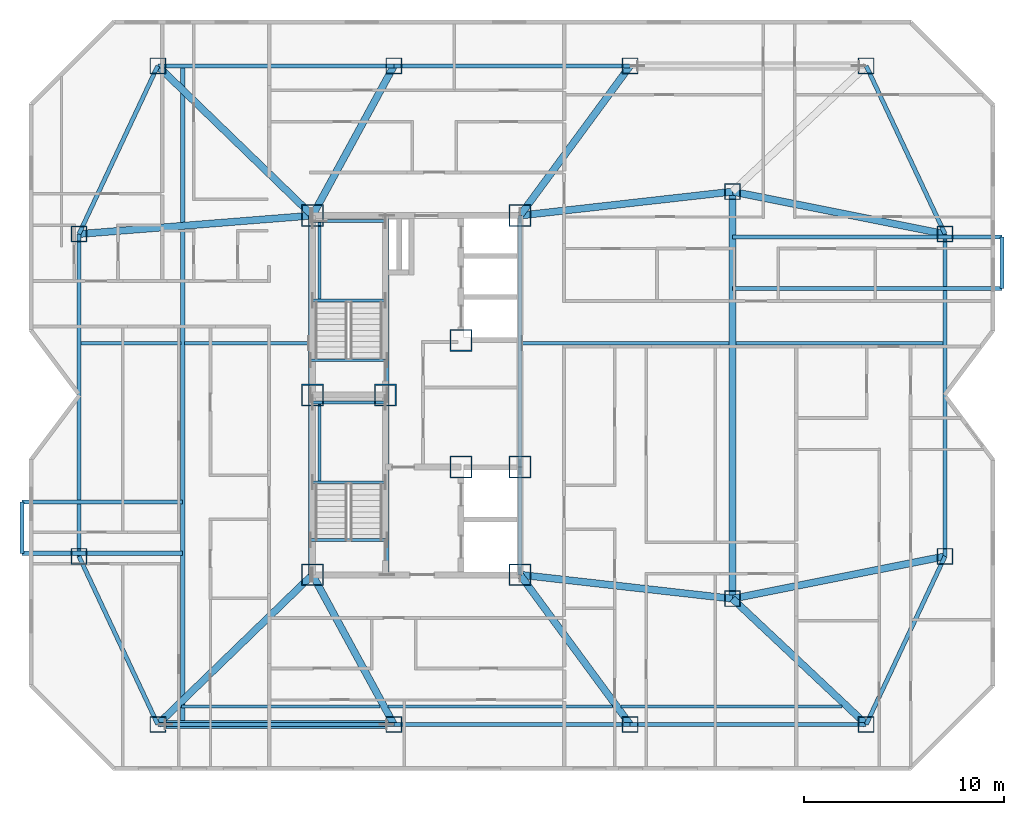
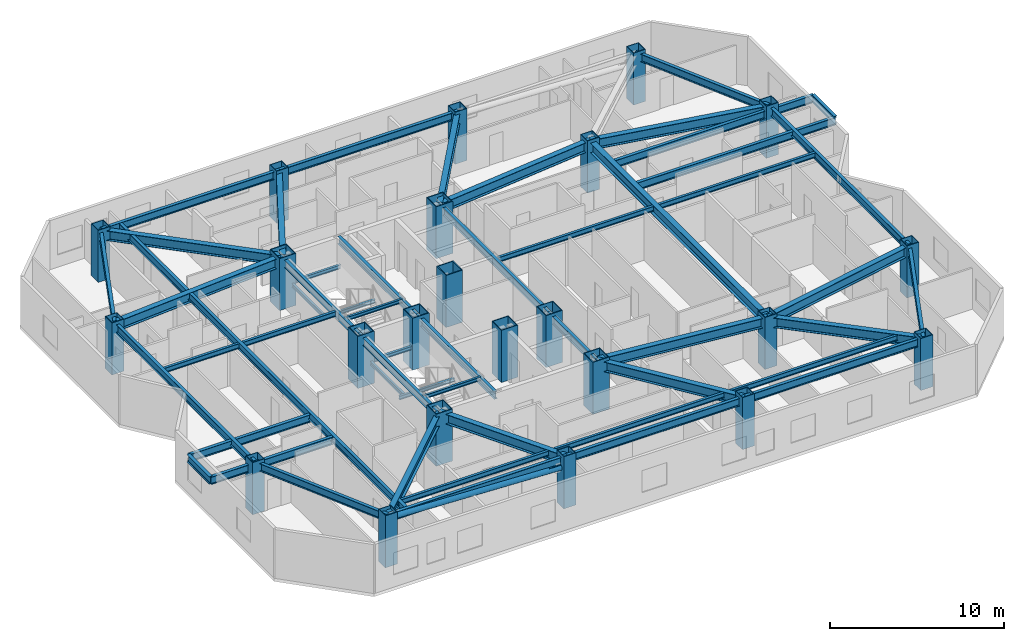
# One storey, part 1 of 12: 52 beams, 23 columns, 1 member.
"""IFC4 building model written with IfcOpenShell, lengths in metres."""

from ifc_helpers import new_model, si_unit, direction, frame, origin, origin_2d, place, context, subcontext, project, spatial, hollow_rectangle, hollow_circle, i_section, extrude, material, material_profile, profile_set, type_object, element, save


model = new_model("IFC4")

# Units and contexts
model_context = context("Model", 3, precision=1e-05, world=origin(), true_north=direction((0.0, 1.0)))
body_context = subcontext(model_context, "Body", "Model", "MODEL_VIEW")
ifc_project = project(units=[si_unit("LENGTHUNIT", "METRE"), si_unit("AREAUNIT", "SQUARE_METRE"), si_unit("VOLUMEUNIT", "CUBIC_METRE"), si_unit("PLANEANGLEUNIT", "RADIAN"), si_unit("MASSUNIT", "GRAM", prefix="KILO")], contexts=[model_context])

# Site, building, storey
site_placement = place(None, origin())
site = spatial("IfcSite", under=ifc_project, at=site_placement, CompositionType="ELEMENT")
building_placement = place(site_placement, origin())
building = spatial("IfcBuilding", under=site, at=building_placement, Name="Khamvora Tower", CompositionType="ELEMENT")
storey_placement = place(building_placement, frame((0.0, 0.0, 199.699951171875)))
storey = spatial("IfcBuildingStorey", under=building, at=storey_placement, Name="L51", CompositionType="ELEMENT", Elevation=199.699951171875)

# Columns
ifc_material_1 = material(Name="Steel S460", Category="steel")
ifc_material_profile_1 = material_profile(ifc_material_1, hollow_rectangle(XDim=1.10009765625, YDim=1.10009765625, WallThickness=0.054931640625, at=origin_2d()), Name="BOX1100x1100x55")
ifc_profile_set_1 = profile_set([ifc_material_profile_1], Name="Steel S460")
column_type_1 = type_object("IfcColumnType", Name="COL-BOX1100", PredefinedType="COLUMN", material=ifc_profile_set_1)
for number, where, z_axis, x_axis, name in (
    (1, (29.0, 19.0, 0.0), (0.0, 0.0, 1.0), (1.0, 0.0, 0.0), "L51 plumb core spine column SC1"),
    (2, (32.64990234375, 28.0, 0.0), (0.0, 0.0, 1.0), (1.0, 0.0, 0.0), "L51 plumb core spine column SC2"),
    (3, (39.39990234375, 19.0, 0.0), (0.0, 0.0, 1.0), (1.0, 0.0, 0.0), "L51 plumb core spine column SC3"),
    (4, (29.0, 28.0, 0.0), (0.0, 0.0, 1.0), (1.0, 0.0, 0.0), "L51 plumb core spine column SC4"),
    (5, (36.449951171875, 24.39990234375, 0.0), (0.0, 0.0, 1.0), (1.0, 0.0, 0.0), "L51 plumb core spine column SC5"),
    (6, (39.39990234375, 24.39990234375, 0.0), (0.0, 0.0, 1.0), (1.0, 0.0, 0.0), "L51 plumb core spine column SC6"),
    (7, (29.0, 37.0, 0.0), (0.0, 0.0, 1.0), (1.0, 0.0, 0.0), "L51 plumb core spine column SC7"),
    (8, (36.449951171875, 30.75, 0.0), (0.0, 0.0, 1.0), (1.0, 0.0, 0.0), "L51 plumb core spine column SC8"),
    (9, (39.39990234375, 37.0, 0.0), (0.0, 0.0, 1.0), (1.0, 0.0, 0.0), "L51 plumb core spine column SC9"),
):
    element("IfcColumn", number, at=place(storey_placement, frame(where, z_axis=z_axis, x_axis=x_axis)), inside=storey, type_object=column_type_1, Name=name, PredefinedType="COLUMN", context=body_context, shape_type="SweptSolid", body=[
        extrude(hollow_rectangle(XDim=1.10009765625, YDim=1.10009765625, WallThickness=0.054931640625, at=origin_2d()), origin(), (0.0, 0.0, 1.0), 3.650146484375),
    ])
ifc_material_2 = material(Name="Steel S355", Category="steel")
ifc_material_profile_2 = material_profile(ifc_material_2, hollow_rectangle(XDim=0.800048828125, YDim=0.800048828125, WallThickness=0.0400390625, at=origin_2d()), Name="BOX800x800x40")
ifc_profile_set_2 = profile_set([ifc_material_profile_2], Name="Steel S355")
column_type_2 = type_object("IfcColumnType", Name="COL-BOX800", PredefinedType="COLUMN", material=ifc_profile_set_2)
for number, where, z_axis, x_axis, name in (
    (10, (21.25, 11.5, 0.0), (0.0, 0.0, 1.0), (1.0, 0.0, 0.0), "L51 structural frame column S1"),
    (11, (33.0830078125, 11.5, 0.0), (0.0, 0.0, 1.0), (1.0, 0.0, 0.0), "L51 structural frame column S2"),
    (12, (44.9169921875, 11.5, 0.0), (0.0, 0.0, 1.0), (1.0, 0.0, 0.0), "L51 structural frame column S3"),
    (13, (56.75, 11.5, 0.0), (0.0, 0.0, 1.0), (1.0, 0.0, 0.0), "L51 structural frame column S4"),
    (14, (21.25, 44.5, 0.0), (0.0, 0.0, 1.0), (1.0, 0.0, 0.0), "L51 structural frame column N1"),
    (15, (33.0830078125, 44.5, 0.0), (0.0, 0.0, 1.0), (1.0, 0.0, 0.0), "L51 structural frame column N2"),
    (16, (44.9169921875, 44.5, 0.0), (0.0, 0.0, 1.0), (1.0, 0.0, 0.0), "L51 structural frame column N3"),
    (17, (56.75, 44.5, 0.0), (0.0, 0.0, 1.0), (1.0, 0.0, 0.0), "L51 structural frame column N4"),
    (18, (17.300048828125, 19.925048828125, 0.0), (0.0, 0.0, 1.0), (1.0, 0.0, 0.0), "L51 structural frame column W1"),
    (19, (17.300048828125, 36.074951171875, 0.0), (0.0, 0.0, 1.0), (1.0, 0.0, 0.0), "L51 structural frame column W2"),
    (20, (60.699951171875, 19.925048828125, 0.0), (0.0, 0.0, 1.0), (1.0, 0.0, 0.0), "L51 structural frame column E1"),
    (21, (60.699951171875, 36.074951171875, 0.0), (0.0, 0.0, 1.0), (1.0, 0.0, 0.0), "L51 structural frame column E2"),
    (22, (50.050048828125, 17.800048828125, 0.0), (0.0, 0.0, 1.0), (1.0, 0.0, 0.0), "L51 structural frame column M1"),
    (23, (50.050048828125, 38.199951171875, 0.0), (0.0, 0.0, 1.0), (1.0, 0.0, 0.0), "L51 structural frame column M2"),
):
    element("IfcColumn", number, at=place(storey_placement, frame(where, z_axis=z_axis, x_axis=x_axis)), inside=storey, type_object=column_type_2, Name=name, PredefinedType="COLUMN", context=body_context, shape_type="SweptSolid", body=[
        extrude(hollow_rectangle(XDim=0.800048828125, YDim=0.800048828125, WallThickness=0.0400390625, at=origin_2d()), origin(), (0.0, 0.0, 1.0), 3.650146484375),
    ])

# Beams
ifc_material_profile_3 = material_profile(ifc_material_2, i_section(OverallWidth=0.1708984375, OverallDepth=0.35498046875, WebThickness=0.007080078125, FlangeThickness=0.011962890625, FilletRadius=0.010009765625, at=origin_2d()), Name="W360x51")
ifc_profile_set_3 = profile_set([ifc_material_profile_3], Name="Steel S355")
beam_type_1 = type_object("IfcBeamType", Name="BM-JS-W360x51", PredefinedType="JOIST", material=ifc_profile_set_3)
beam_1_placement = place(storey_placement, frame((22.429931640625, 12.39990234375, 3.251953125), z_axis=(1.0, 0.0, 0.0), x_axis=(0.0, 1.0, 0.0)))
element("IfcBeam", 24, at=beam_1_placement, inside=storey, type_object=beam_type_1, Name="L51 secondary floor joist 01", PredefinedType="JOIST", context=body_context, shape_type="SweptSolid", body=[
    extrude(i_section(OverallWidth=0.1708984375, OverallDepth=0.35498046875, WebThickness=0.007080078125, FlangeThickness=0.011962890625, FilletRadius=0.010009765625, at=origin_2d()), origin(), (0.0, 0.0, 1.0), 9.966064453125),
])
beam_2_placement = place(storey_placement, frame((32.7900390625, 12.39990234375, 3.251953125), z_axis=(1.0, 0.0, 0.0), x_axis=(0.0, 1.0, 0.0)))
element("IfcBeam", 25, at=beam_2_placement, inside=storey, type_object=beam_type_1, Name="L51 secondary floor joist 02", PredefinedType="JOIST", context=body_context, shape_type="SweptSolid", body=[
    extrude(i_section(OverallWidth=0.1708984375, OverallDepth=0.35498046875, WebThickness=0.007080078125, FlangeThickness=0.011962890625, FilletRadius=0.010009765625, at=origin_2d()), origin(), (0.0, 0.0, 1.0), 11.25),
])
beam_3_placement = place(storey_placement, frame((44.469970703125, 12.39990234375, 3.251953125), z_axis=(1.0, 0.0, 0.0), x_axis=(0.0, 1.0, 0.0)))
element("IfcBeam", 26, at=beam_3_placement, inside=storey, type_object=beam_type_1, Name="L51 secondary floor joist 03", PredefinedType="JOIST", context=body_context, shape_type="SweptSolid", body=[
    extrude(i_section(OverallWidth=0.1708984375, OverallDepth=0.35498046875, WebThickness=0.007080078125, FlangeThickness=0.011962890625, FilletRadius=0.010009765625, at=origin_2d()), origin(), (0.0, 0.0, 1.0), 11.069091796875),
])
beam_4_placement = place(storey_placement, frame((17.40087890625, 30.60009765625, 3.251953125), z_axis=(1.0, 0.0, 0.0), x_axis=(0.0, 1.0, 0.0)))
element("IfcBeam", 27, at=beam_4_placement, inside=storey, type_object=beam_type_1, Name="L51 secondary floor joist 04", PredefinedType="JOIST", context=body_context, shape_type="SweptSolid", body=[
    extrude(i_section(OverallWidth=0.1708984375, OverallDepth=0.35498046875, WebThickness=0.007080078125, FlangeThickness=0.011962890625, FilletRadius=0.010009765625, at=origin_2d()), origin(), (0.0, 0.0, 1.0), 5.0),
])
beam_5_placement = place(storey_placement, frame((22.59912109375, 30.60009765625, 3.251953125), z_axis=(1.0, 0.0, 0.0), x_axis=(0.0, 1.0, 0.0)))
element("IfcBeam", 28, at=beam_5_placement, inside=storey, type_object=beam_type_1, Name="L51 secondary floor joist 05", PredefinedType="JOIST", context=body_context, shape_type="SweptSolid", body=[
    extrude(i_section(OverallWidth=0.1708984375, OverallDepth=0.35498046875, WebThickness=0.007080078125, FlangeThickness=0.011962890625, FilletRadius=0.010009765625, at=origin_2d()), origin(), (0.0, 0.0, 1.0), 6.200927734375),
])
beam_6_placement = place(storey_placement, frame((39.4990234375, 30.60009765625, 3.251953125), z_axis=(1.0, 0.0, 0.0), x_axis=(0.0, 1.0, 0.0)))
element("IfcBeam", 29, at=beam_6_placement, inside=storey, type_object=beam_type_1, Name="L51 secondary floor joist 06", PredefinedType="JOIST", context=body_context, shape_type="SweptSolid", body=[
    extrude(i_section(OverallWidth=0.1708984375, OverallDepth=0.35498046875, WebThickness=0.007080078125, FlangeThickness=0.011962890625, FilletRadius=0.010009765625, at=origin_2d()), origin(), (0.0, 0.0, 1.0), 10.3779296875),
])
beam_7_placement = place(storey_placement, frame((50.221923828125, 30.60009765625, 3.251953125), z_axis=(1.0, 0.0, 0.0), x_axis=(0.0, 1.0, 0.0)))
element("IfcBeam", 30, at=beam_7_placement, inside=storey, type_object=beam_type_1, Name="L51 secondary floor joist 07", PredefinedType="JOIST", context=body_context, shape_type="SweptSolid", body=[
    extrude(i_section(OverallWidth=0.1708984375, OverallDepth=0.35498046875, WebThickness=0.007080078125, FlangeThickness=0.011962890625, FilletRadius=0.010009765625, at=origin_2d()), origin(), (0.0, 0.0, 1.0), 10.377197265625),
])
ifc_material_profile_4 = material_profile(ifc_material_2, i_section(OverallWidth=0.14697265625, OverallDepth=0.261962890625, WebThickness=0.007080078125, FlangeThickness=0.010986328125, FilletRadius=0.008056640625, at=origin_2d()), Name="W250x39")
ifc_profile_set_4 = profile_set([ifc_material_profile_4], Name="Steel S355")
beam_type_2 = type_object("IfcBeamType", Name="BM-LN-W250x39", PredefinedType="LINTEL", material=ifc_profile_set_4)
for number, where, z_axis, x_axis, name in (
    (31, (29.0, 23.635009765625, 1.494140625), (1.0, 0.0, 0.0), (0.0, 1.0, 0.0), "L51 ST-01 half-landing support beam 1.1"),
    (32, (29.0, 27.6298828125, 1.494140625), (1.0, 0.0, 0.0), (0.0, 1.0, 0.0), "L51 ST-01 half-landing support beam 1.2"),
):
    element("IfcBeam", number, at=place(storey_placement, frame(where, z_axis=z_axis, x_axis=x_axis)), inside=storey, type_object=beam_type_2, Name=name, PredefinedType="LINTEL", context=body_context, shape_type="SweptSolid", body=[
        extrude(i_section(OverallWidth=0.14697265625, OverallDepth=0.261962890625, WebThickness=0.007080078125, FlangeThickness=0.010986328125, FilletRadius=0.008056640625, at=origin_2d()), origin(), (0.0, 0.0, 1.0), 3.64990234375),
    ])
beam_8_placement = place(storey_placement, frame((29.35009765625, 23.635009765625, 1.494140625), z_axis=(0.0, 1.0, 0.0), x_axis=(-1.0, 0.0, 0.0)))
element("IfcBeam", 33, at=beam_8_placement, inside=storey, type_object=beam_type_2, Name="L51 ST-01 half-landing edge stringer 1", PredefinedType="LINTEL", context=body_context, shape_type="SweptSolid", body=[
    extrude(i_section(OverallWidth=0.14697265625, OverallDepth=0.261962890625, WebThickness=0.007080078125, FlangeThickness=0.010986328125, FilletRadius=0.008056640625, at=origin_2d()), origin(), (0.0, 0.0, 1.0), 3.994873046875),
])
for number, where, z_axis, x_axis, name in (
    (34, (29.0, 32.735107421875, 1.494140625), (1.0, 0.0, 0.0), (0.0, 1.0, 0.0), "L51 ST-02 half-landing support beam 1.1"),
    (35, (29.0, 36.72998046875, 1.494140625), (1.0, 0.0, 0.0), (0.0, 1.0, 0.0), "L51 ST-02 half-landing support beam 1.2"),
):
    element("IfcBeam", number, at=place(storey_placement, frame(where, z_axis=z_axis, x_axis=x_axis)), inside=storey, type_object=beam_type_2, Name=name, PredefinedType="LINTEL", context=body_context, shape_type="SweptSolid", body=[
        extrude(i_section(OverallWidth=0.14697265625, OverallDepth=0.261962890625, WebThickness=0.007080078125, FlangeThickness=0.010986328125, FilletRadius=0.008056640625, at=origin_2d()), origin(), (0.0, 0.0, 1.0), 3.64990234375),
    ])
beam_9_placement = place(storey_placement, frame((29.35009765625, 32.735107421875, 1.494140625), z_axis=(0.0, 1.0, 0.0), x_axis=(-1.0, 0.0, 0.0)))
element("IfcBeam", 36, at=beam_9_placement, inside=storey, type_object=beam_type_2, Name="L51 ST-02 half-landing edge stringer 1", PredefinedType="LINTEL", context=body_context, shape_type="SweptSolid", body=[
    extrude(i_section(OverallWidth=0.14697265625, OverallDepth=0.261962890625, WebThickness=0.007080078125, FlangeThickness=0.010986328125, FilletRadius=0.008056640625, at=origin_2d()), origin(), (0.0, 0.0, 1.0), 3.994873046875),
])
for number, where, z_axis, x_axis, name in (
    (37, (28.89990234375, 20.75, 3.303955078125), (1.0, 0.0, 0.0), (0.0, 1.0, 0.0), "L51 exit stair ST-01 landing trimmer beam"),
    (38, (28.89990234375, 29.75, 3.303955078125), (1.0, 0.0, 0.0), (0.0, 1.0, 0.0), "L51 exit stair ST-02 landing trimmer beam"),
):
    element("IfcBeam", number, at=place(storey_placement, frame(where, z_axis=z_axis, x_axis=x_axis)), inside=storey, type_object=beam_type_2, Name=name, PredefinedType="LINTEL", context=body_context, shape_type="SweptSolid", body=[
        extrude(i_section(OverallWidth=0.14697265625, OverallDepth=0.261962890625, WebThickness=0.007080078125, FlangeThickness=0.010986328125, FilletRadius=0.008056640625, at=origin_2d()), origin(), (0.0, 0.0, 1.0), 3.830078125),
    ])
ifc_material_profile_5 = material_profile(ifc_material_2, i_section(OverallWidth=0.35498046875, OverallDepth=0.695068359375, WebThickness=0.014892578125, FlangeThickness=0.02490234375, FilletRadius=0.01611328125, at=origin_2d()), Name="W690x217")
ifc_profile_set_5 = profile_set([ifc_material_profile_5], Name="Steel S355")
beam_type_3 = type_object("IfcBeamType", Name="BM-PG-W690x217", PredefinedType="BEAM", material=ifc_profile_set_5)
beam_10_placement = place(storey_placement, frame((50.050048828125, 17.800048828125, 3.08203125), z_axis=(0.0, 1.0, 0.0), x_axis=(-1.0, 0.0, 0.0)))
element("IfcBeam", 39, at=beam_10_placement, inside=storey, type_object=beam_type_3, Name="L51 longitudinal frame girder M1-M2", PredefinedType="BEAM", context=body_context, shape_type="SweptSolid", body=[
    extrude(i_section(OverallWidth=0.35498046875, OverallDepth=0.695068359375, WebThickness=0.014892578125, FlangeThickness=0.02490234375, FilletRadius=0.01611328125, at=origin_2d()), origin(), (0.0, 0.0, 1.0), 20.39990234375),
])
beam_11_placement = place(storey_placement, frame((29.0, 19.0, 3.08203125), z_axis=(-0.718602141767, -0.695421427516, 0.0), x_axis=(0.695421427516, -0.718602141767, 0.0)))
element("IfcBeam", 40, at=beam_11_placement, inside=storey, type_object=beam_type_3, Name="L51 primary floor girder S1", PredefinedType="BEAM", context=body_context, shape_type="SweptSolid", body=[
    extrude(i_section(OverallWidth=0.35498046875, OverallDepth=0.695068359375, WebThickness=0.014892578125, FlangeThickness=0.02490234375, FilletRadius=0.01611328125, at=origin_2d()), origin(), (0.0, 0.0, 1.0), 10.784912109375),
])
beam_12_placement = place(storey_placement, frame((29.0, 19.0, 3.08203125), z_axis=(0.478138862063, -0.878284252725, 0.0), x_axis=(0.878284252725, 0.478138862063, 0.0)))
element("IfcBeam", 41, at=beam_12_placement, inside=storey, type_object=beam_type_3, Name="L51 primary floor girder S2", PredefinedType="BEAM", context=body_context, shape_type="SweptSolid", body=[
    extrude(i_section(OverallWidth=0.35498046875, OverallDepth=0.695068359375, WebThickness=0.014892578125, FlangeThickness=0.02490234375, FilletRadius=0.01611328125, at=origin_2d()), origin(), (0.0, 0.0, 1.0), 8.539306640625),
])
beam_13_placement = place(storey_placement, frame((39.39990234375, 19.0, 3.08203125), z_axis=(0.592556630955, -0.805528794713, 0.0), x_axis=(0.805528794713, 0.592556630955, 0.0)))
element("IfcBeam", 42, at=beam_13_placement, inside=storey, type_object=beam_type_3, Name="L51 primary floor girder S3", PredefinedType="BEAM", context=body_context, shape_type="SweptSolid", body=[
    extrude(i_section(OverallWidth=0.35498046875, OverallDepth=0.695068359375, WebThickness=0.014892578125, FlangeThickness=0.02490234375, FilletRadius=0.01611328125, at=origin_2d()), origin(), (0.0, 0.0, 1.0), 9.310546875),
])
beam_14_placement = place(storey_placement, frame((50.050048828125, 17.800048828125, 3.08203125), z_axis=(0.728513992294, -0.685030921224, 0.0), x_axis=(0.685030921224, 0.728513992294, 0.0)))
element("IfcBeam", 43, at=beam_14_placement, inside=storey, type_object=beam_type_3, Name="L51 primary floor girder S4", PredefinedType="BEAM", context=body_context, shape_type="SweptSolid", body=[
    extrude(i_section(OverallWidth=0.35498046875, OverallDepth=0.695068359375, WebThickness=0.014892578125, FlangeThickness=0.02490234375, FilletRadius=0.01611328125, at=origin_2d()), origin(), (0.0, 0.0, 1.0), 9.19677734375),
])
beam_15_placement = place(storey_placement, frame((29.0, 37.0, 3.08203125), z_axis=(-0.718602141767, 0.695421427516, 0.0), x_axis=(-0.695421427516, -0.718602141767, 0.0)))
element("IfcBeam", 44, at=beam_15_placement, inside=storey, type_object=beam_type_3, Name="L51 primary floor girder N1", PredefinedType="BEAM", context=body_context, shape_type="SweptSolid", body=[
    extrude(i_section(OverallWidth=0.35498046875, OverallDepth=0.695068359375, WebThickness=0.014892578125, FlangeThickness=0.02490234375, FilletRadius=0.01611328125, at=origin_2d()), origin(), (0.0, 0.0, 1.0), 10.784912109375),
])
beam_16_placement = place(storey_placement, frame((29.0, 37.0, 3.08203125), z_axis=(0.478138862063, 0.878284252725, 0.0), x_axis=(-0.878284252725, 0.478138862063, 0.0)))
element("IfcBeam", 45, at=beam_16_placement, inside=storey, type_object=beam_type_3, Name="L51 primary floor girder N2", PredefinedType="BEAM", context=body_context, shape_type="SweptSolid", body=[
    extrude(i_section(OverallWidth=0.35498046875, OverallDepth=0.695068359375, WebThickness=0.014892578125, FlangeThickness=0.02490234375, FilletRadius=0.01611328125, at=origin_2d()), origin(), (0.0, 0.0, 1.0), 8.539306640625),
])
beam_17_placement = place(storey_placement, frame((39.39990234375, 37.0, 3.08203125), z_axis=(0.592556630955, 0.805528794713, 0.0), x_axis=(-0.805528794713, 0.592556630955, 0.0)))
element("IfcBeam", 46, at=beam_17_placement, inside=storey, type_object=beam_type_3, Name="L51 primary floor girder N3", PredefinedType="BEAM", context=body_context, shape_type="SweptSolid", body=[
    extrude(i_section(OverallWidth=0.35498046875, OverallDepth=0.695068359375, WebThickness=0.014892578125, FlangeThickness=0.02490234375, FilletRadius=0.01611328125, at=origin_2d()), origin(), (0.0, 0.0, 1.0), 9.310546875),
])
beam_18_placement = place(storey_placement, frame((29.0, 37.0, 3.08203125), z_axis=(-0.996888993668, -0.078818362728, 0.0), x_axis=(0.078818362728, -0.996888993668, 0.0)))
element("IfcBeam", 47, at=beam_18_placement, inside=storey, type_object=beam_type_3, Name="L51 primary floor girder W2", PredefinedType="BEAM", context=body_context, shape_type="SweptSolid", body=[
    extrude(i_section(OverallWidth=0.35498046875, OverallDepth=0.695068359375, WebThickness=0.014892578125, FlangeThickness=0.02490234375, FilletRadius=0.01611328125, at=origin_2d()), origin(), (0.0, 0.0, 1.0), 11.736572265625),
])
for number, where, z_axis, x_axis, name in (
    (48, (50.050048828125, 17.800048828125, 3.08203125), (0.980668771461, 0.195675140681, 0.0), (-0.195675140681, 0.980668771461, 0.0), "L51 primary floor girder E1"),
    (49, (50.050048828125, 38.199951171875, 3.08203125), (0.980668771461, -0.195675140681, 0.0), (0.195675140681, 0.980668771461, 0.0), "L51 primary floor girder E2"),
):
    element("IfcBeam", number, at=place(storey_placement, frame(where, z_axis=z_axis, x_axis=x_axis)), inside=storey, type_object=beam_type_3, Name=name, PredefinedType="BEAM", context=body_context, shape_type="SweptSolid", body=[
        extrude(i_section(OverallWidth=0.35498046875, OverallDepth=0.695068359375, WebThickness=0.014892578125, FlangeThickness=0.02490234375, FilletRadius=0.01611328125, at=origin_2d()), origin(), (0.0, 0.0, 1.0), 10.85986328125),
    ])
for number, where, z_axis, x_axis, name in (
    (50, (39.39990234375, 19.0, 3.08203125), (0.993712543569, -0.111961514606, 0.0), (0.111961514606, 0.993712543569, 0.0), "L51 primary floor girder M1"),
    (51, (39.39990234375, 37.0, 3.08203125), (0.993712543569, 0.111961514606, 0.0), (-0.111961514606, 0.993712543569, 0.0), "L51 primary floor girder M2"),
):
    element("IfcBeam", number, at=place(storey_placement, frame(where, z_axis=z_axis, x_axis=x_axis)), inside=storey, type_object=beam_type_3, Name=name, PredefinedType="BEAM", context=body_context, shape_type="SweptSolid", body=[
        extrude(i_section(OverallWidth=0.35498046875, OverallDepth=0.695068359375, WebThickness=0.014892578125, FlangeThickness=0.02490234375, FilletRadius=0.01611328125, at=origin_2d()), origin(), (0.0, 0.0, 1.0), 10.717529296875),
    ])
ifc_material_profile_6 = material_profile(ifc_material_2, i_section(OverallWidth=0.2119140625, OverallDepth=0.5439453125, WebThickness=0.012939453125, FlangeThickness=0.02099609375, FilletRadius=0.013916015625, at=origin_2d()), Name="W530x123")
ifc_profile_set_6 = profile_set([ifc_material_profile_6], Name="Steel S355")
beam_type_4 = type_object("IfcBeamType", Name="BM-SP-W530x123", PredefinedType="SPANDREL", material=ifc_profile_set_6)
beam_19_placement = place(storey_placement, frame((17.300048828125, 19.925048828125, 3.157958984375), z_axis=(0.424496391454, -0.905429629315, 0.0), x_axis=(0.905429629315, 0.424496391454, 0.0)))
element("IfcBeam", 52, at=beam_19_placement, inside=storey, type_object=beam_type_4, Name="L51 perimeter spandrel beam W1-S1", PredefinedType="SPANDREL", context=body_context, shape_type="SweptSolid", body=[
    extrude(i_section(OverallWidth=0.2119140625, OverallDepth=0.5439453125, WebThickness=0.012939453125, FlangeThickness=0.02099609375, FilletRadius=0.013916015625, at=origin_2d()), origin(), (0.0, 0.0, 1.0), 9.304931640625),
])
beam_20_placement = place(storey_placement, frame((21.25, 11.5, 3.157958984375), z_axis=(1.0, 0.0, 0.0), x_axis=(0.0, 1.0, 0.0)))
element("IfcBeam", 53, at=beam_20_placement, inside=storey, type_object=beam_type_4, Name="L51 perimeter spandrel beam S1-S2", PredefinedType="SPANDREL", context=body_context, shape_type="SweptSolid", body=[
    extrude(i_section(OverallWidth=0.2119140625, OverallDepth=0.5439453125, WebThickness=0.012939453125, FlangeThickness=0.02099609375, FilletRadius=0.013916015625, at=origin_2d()), origin(), (0.0, 0.0, 1.0), 11.8330078125),
])
beam_21_placement = place(storey_placement, frame((33.0830078125, 11.5, 3.157958984375), z_axis=(1.0, 0.0, 0.0), x_axis=(0.0, 1.0, 0.0)))
element("IfcBeam", 54, at=beam_21_placement, inside=storey, type_object=beam_type_4, Name="L51 perimeter spandrel beam S2-S3", PredefinedType="SPANDREL", context=body_context, shape_type="SweptSolid", body=[
    extrude(i_section(OverallWidth=0.2119140625, OverallDepth=0.5439453125, WebThickness=0.012939453125, FlangeThickness=0.02099609375, FilletRadius=0.013916015625, at=origin_2d()), origin(), (0.0, 0.0, 1.0), 11.833984375),
])
beam_22_placement = place(storey_placement, frame((44.9169921875, 11.5, 3.157958984375), z_axis=(1.0, 0.0, 0.0), x_axis=(0.0, 1.0, 0.0)))
element("IfcBeam", 55, at=beam_22_placement, inside=storey, type_object=beam_type_4, Name="L51 perimeter spandrel beam S3-S4", PredefinedType="SPANDREL", context=body_context, shape_type="SweptSolid", body=[
    extrude(i_section(OverallWidth=0.2119140625, OverallDepth=0.5439453125, WebThickness=0.012939453125, FlangeThickness=0.02099609375, FilletRadius=0.013916015625, at=origin_2d()), origin(), (0.0, 0.0, 1.0), 11.8330078125),
])
beam_23_placement = place(storey_placement, frame((56.75, 11.5, 3.157958984375), z_axis=(0.424496391454, 0.905429629315, 0.0), x_axis=(-0.905429629315, 0.424496391454, 0.0)))
element("IfcBeam", 56, at=beam_23_placement, inside=storey, type_object=beam_type_4, Name="L51 perimeter spandrel beam S4-E1", PredefinedType="SPANDREL", context=body_context, shape_type="SweptSolid", body=[
    extrude(i_section(OverallWidth=0.2119140625, OverallDepth=0.5439453125, WebThickness=0.012939453125, FlangeThickness=0.02099609375, FilletRadius=0.013916015625, at=origin_2d()), origin(), (0.0, 0.0, 1.0), 9.304931640625),
])
beam_24_placement = place(storey_placement, frame((60.699951171875, 19.925048828125, 3.157958984375), z_axis=(0.0, 1.0, 0.0), x_axis=(-1.0, 0.0, 0.0)))
element("IfcBeam", 57, at=beam_24_placement, inside=storey, type_object=beam_type_4, Name="L51 perimeter spandrel beam E1-E2", PredefinedType="SPANDREL", context=body_context, shape_type="SweptSolid", body=[
    extrude(i_section(OverallWidth=0.2119140625, OverallDepth=0.5439453125, WebThickness=0.012939453125, FlangeThickness=0.02099609375, FilletRadius=0.013916015625, at=origin_2d()), origin(), (0.0, 0.0, 1.0), 16.14990234375),
])
beam_25_placement = place(storey_placement, frame((60.699951171875, 36.074951171875, 3.157958984375), z_axis=(-0.424496391454, 0.905429629315, 0.0), x_axis=(-0.905429629315, -0.424496391454, 0.0)))
element("IfcBeam", 58, at=beam_25_placement, inside=storey, type_object=beam_type_4, Name="L51 perimeter spandrel beam E2-N4", PredefinedType="SPANDREL", context=body_context, shape_type="SweptSolid", body=[
    extrude(i_section(OverallWidth=0.2119140625, OverallDepth=0.5439453125, WebThickness=0.012939453125, FlangeThickness=0.02099609375, FilletRadius=0.013916015625, at=origin_2d()), origin(), (0.0, 0.0, 1.0), 9.304931640625),
])
beam_26_placement = place(storey_placement, frame((44.9169921875, 44.5, 3.157958984375), z_axis=(-1.0, 0.0, 0.0), x_axis=(0.0, -1.0, 0.0)))
element("IfcBeam", 59, at=beam_26_placement, inside=storey, type_object=beam_type_4, Name="L51 perimeter spandrel beam N3-N2", PredefinedType="SPANDREL", context=body_context, shape_type="SweptSolid", body=[
    extrude(i_section(OverallWidth=0.2119140625, OverallDepth=0.5439453125, WebThickness=0.012939453125, FlangeThickness=0.02099609375, FilletRadius=0.013916015625, at=origin_2d()), origin(), (0.0, 0.0, 1.0), 11.833984375),
])
beam_27_placement = place(storey_placement, frame((33.0830078125, 44.5, 3.157958984375), z_axis=(-1.0, 0.0, 0.0), x_axis=(0.0, -1.0, 0.0)))
element("IfcBeam", 60, at=beam_27_placement, inside=storey, type_object=beam_type_4, Name="L51 perimeter spandrel beam N2-N1", PredefinedType="SPANDREL", context=body_context, shape_type="SweptSolid", body=[
    extrude(i_section(OverallWidth=0.2119140625, OverallDepth=0.5439453125, WebThickness=0.012939453125, FlangeThickness=0.02099609375, FilletRadius=0.013916015625, at=origin_2d()), origin(), (0.0, 0.0, 1.0), 11.8330078125),
])
beam_28_placement = place(storey_placement, frame((21.25, 44.5, 3.157958984375), z_axis=(-0.424496391454, -0.905429629315, 0.0), x_axis=(0.905429629315, -0.424496391454, 0.0)))
element("IfcBeam", 61, at=beam_28_placement, inside=storey, type_object=beam_type_4, Name="L51 perimeter spandrel beam N1-W2", PredefinedType="SPANDREL", context=body_context, shape_type="SweptSolid", body=[
    extrude(i_section(OverallWidth=0.2119140625, OverallDepth=0.5439453125, WebThickness=0.012939453125, FlangeThickness=0.02099609375, FilletRadius=0.013916015625, at=origin_2d()), origin(), (0.0, 0.0, 1.0), 9.304931640625),
])
beam_29_placement = place(storey_placement, frame((17.300048828125, 36.074951171875, 3.157958984375), z_axis=(0.0, -1.0, 0.0), x_axis=(1.0, 0.0, 0.0)))
element("IfcBeam", 62, at=beam_29_placement, inside=storey, type_object=beam_type_4, Name="L51 perimeter spandrel beam W2-W1", PredefinedType="SPANDREL", context=body_context, shape_type="SweptSolid", body=[
    extrude(i_section(OverallWidth=0.2119140625, OverallDepth=0.5439453125, WebThickness=0.012939453125, FlangeThickness=0.02099609375, FilletRadius=0.013916015625, at=origin_2d()), origin(), (0.0, 0.0, 1.0), 16.14990234375),
])
ifc_material_profile_7 = material_profile(ifc_material_2, i_section(OverallWidth=0.208984375, OverallDepth=0.532958984375, WebThickness=0.010009765625, FlangeThickness=0.01611328125, FilletRadius=0.013916015625, at=origin_2d()), Name="W530x92")
ifc_profile_set_7 = profile_set([ifc_material_profile_7], Name="Steel S355")
beam_type_5 = type_object("IfcBeamType", Name="BM-SP-W530x92", PredefinedType="SPANDREL", material=ifc_profile_set_7)
for number, where, z_axis, x_axis, name in (
    (63, (28.89990234375, 19.0, 3.1630859375), (0.0, 1.0, 0.0), (-1.0, 0.0, 0.0), "L51 core spine girder WS"),
    (64, (28.89990234375, 28.0, 3.1630859375), (0.0, 1.0, 0.0), (-1.0, 0.0, 0.0), "L51 core spine girder WN"),
    (65, (32.72998046875, 19.0, 3.1630859375), (0.0, 1.0, 0.0), (-1.0, 0.0, 0.0), "L51 core spine girder M1S"),
    (66, (32.72998046875, 28.0, 3.1630859375), (0.0, 1.0, 0.0), (-1.0, 0.0, 0.0), "L51 core spine girder M1N"),
):
    element("IfcBeam", number, at=place(storey_placement, frame(where, z_axis=z_axis, x_axis=x_axis)), inside=storey, type_object=beam_type_5, Name=name, PredefinedType="SPANDREL", context=body_context, shape_type="SweptSolid", body=[
        extrude(i_section(OverallWidth=0.208984375, OverallDepth=0.532958984375, WebThickness=0.010009765625, FlangeThickness=0.01611328125, FilletRadius=0.013916015625, at=origin_2d()), origin(), (0.0, 0.0, 1.0), 9.0),
    ])
beam_30_placement = place(storey_placement, frame((39.39990234375, 19.0, 3.1630859375), z_axis=(0.0, 1.0, 0.0), x_axis=(-1.0, 0.0, 0.0)))
element("IfcBeam", 67, at=beam_30_placement, inside=storey, type_object=beam_type_5, Name="L51 core spine girder ES", PredefinedType="SPANDREL", context=body_context, shape_type="SweptSolid", body=[
    extrude(i_section(OverallWidth=0.208984375, OverallDepth=0.532958984375, WebThickness=0.010009765625, FlangeThickness=0.01611328125, FilletRadius=0.013916015625, at=origin_2d()), origin(), (0.0, 0.0, 1.0), 5.39990234375),
])
beam_31_placement = place(storey_placement, frame((39.39990234375, 24.39990234375, 3.1630859375), z_axis=(0.0, 1.0, 0.0), x_axis=(-1.0, 0.0, 0.0)))
element("IfcBeam", 68, at=beam_31_placement, inside=storey, type_object=beam_type_5, Name="L51 core spine girder EN", PredefinedType="SPANDREL", context=body_context, shape_type="SweptSolid", body=[
    extrude(i_section(OverallWidth=0.208984375, OverallDepth=0.532958984375, WebThickness=0.010009765625, FlangeThickness=0.01611328125, FilletRadius=0.013916015625, at=origin_2d()), origin(), (0.0, 0.0, 1.0), 12.60009765625),
])
for number, where, z_axis, x_axis, name in (
    (69, (50.050048828125, 33.35009765625, 2.963134765625), (1.0, 0.0, 0.0), (0.0, 1.0, 0.0), "L51 continuous gallery cantilever girder L52-EL2-1"),
    (70, (50.050048828125, 35.925048828125, 2.963134765625), (1.0, 0.0, 0.0), (0.0, 1.0, 0.0), "L51 continuous gallery cantilever girder L52-EL2-2"),
):
    element("IfcBeam", number, at=place(storey_placement, frame(where, z_axis=z_axis, x_axis=x_axis)), inside=storey, type_object=beam_type_5, Name=name, PredefinedType="SPANDREL", context=body_context, shape_type="SweptSolid", body=[
        extrude(i_section(OverallWidth=0.208984375, OverallDepth=0.532958984375, WebThickness=0.010009765625, FlangeThickness=0.01611328125, FilletRadius=0.013916015625, at=origin_2d()), origin(), (0.0, 0.0, 1.0), 13.5),
    ])
beam_32_placement = place(storey_placement, frame((63.550048828125, 33.35009765625, 2.963134765625), z_axis=(0.0, 1.0, 0.0), x_axis=(-1.0, 0.0, 0.0)))
element("IfcBeam", 71, at=beam_32_placement, inside=storey, type_object=beam_type_5, Name="L51 external gallery edge header beam L52-EL2", PredefinedType="SPANDREL", context=body_context, shape_type="SweptSolid", body=[
    extrude(i_section(OverallWidth=0.208984375, OverallDepth=0.532958984375, WebThickness=0.010009765625, FlangeThickness=0.01611328125, FilletRadius=0.013916015625, at=origin_2d()), origin(), (0.0, 0.0, 1.0), 2.574951171875),
])
beam_33_placement = place(storey_placement, frame((22.5, 11.5, 3.1630859375), z_axis=(0.0, 1.0, 0.0), x_axis=(-1.0, 0.0, 0.0)))
element("IfcBeam", 72, at=beam_33_placement, inside=storey, type_object=beam_type_5, Name="L51 gallery back-span collector girder W", PredefinedType="SPANDREL", context=body_context, shape_type="SweptSolid", body=[
    extrude(i_section(OverallWidth=0.208984375, OverallDepth=0.532958984375, WebThickness=0.010009765625, FlangeThickness=0.01611328125, FilletRadius=0.013916015625, at=origin_2d()), origin(), (0.0, 0.0, 1.0), 33.0),
])
for number, where, z_axis, x_axis, name in (
    (73, (22.5, 20.074951171875, 2.963134765625), (-1.0, 0.0, 0.0), (0.0, -1.0, 0.0), "L51 continuous gallery cantilever girder L52-WL1-1"),
    (74, (22.5, 22.64990234375, 2.963134765625), (-1.0, 0.0, 0.0), (0.0, -1.0, 0.0), "L51 continuous gallery cantilever girder L52-WL1-2"),
):
    element("IfcBeam", number, at=place(storey_placement, frame(where, z_axis=z_axis, x_axis=x_axis)), inside=storey, type_object=beam_type_5, Name=name, PredefinedType="SPANDREL", context=body_context, shape_type="SweptSolid", body=[
        extrude(i_section(OverallWidth=0.208984375, OverallDepth=0.532958984375, WebThickness=0.010009765625, FlangeThickness=0.01611328125, FilletRadius=0.013916015625, at=origin_2d()), origin(), (0.0, 0.0, 1.0), 8.050048828125),
    ])
beam_34_placement = place(storey_placement, frame((14.449951171875, 20.074951171875, 2.963134765625), z_axis=(0.0, 1.0, 0.0), x_axis=(-1.0, 0.0, 0.0)))
element("IfcBeam", 75, at=beam_34_placement, inside=storey, type_object=beam_type_5, Name="L51 external gallery edge header beam L52-WL1", PredefinedType="SPANDREL", context=body_context, shape_type="SweptSolid", body=[
    extrude(i_section(OverallWidth=0.208984375, OverallDepth=0.532958984375, WebThickness=0.010009765625, FlangeThickness=0.01611328125, FilletRadius=0.013916015625, at=origin_2d()), origin(), (0.0, 0.0, 1.0), 2.574951171875),
])

# Member
ifc_material_profile_8 = material_profile(ifc_material_2, hollow_circle(Radius=0.202880859375, WallThickness=0.01611328125, at=origin_2d()), Name="CHS406x16")
ifc_profile_set_8 = profile_set([ifc_material_profile_8], Name="Steel S355")
member_type = type_object("IfcMemberType", Name="MEM-BR-CHS406", PredefinedType="BRACE", material=ifc_profile_set_8)
member_placement = place(storey_placement, frame((32.702880859375, 11.5, 2.695068359375), z_axis=(-0.99916825461, 0.0, 0.040777432241), x_axis=(0.0, -1.0, 0.0)))
element("IfcMember", 76, at=member_placement, inside=storey, type_object=member_type, Name="L51 perimeter wind brace 1", PredefinedType="BRACE", context=body_context, shape_type="SweptSolid", body=[
    extrude(hollow_circle(Radius=0.202880859375, WallThickness=0.01611328125, at=origin_2d()), origin(), (0.0, 0.0, 1.0), 11.082275390625),
])

save(model, "model.ifc")
